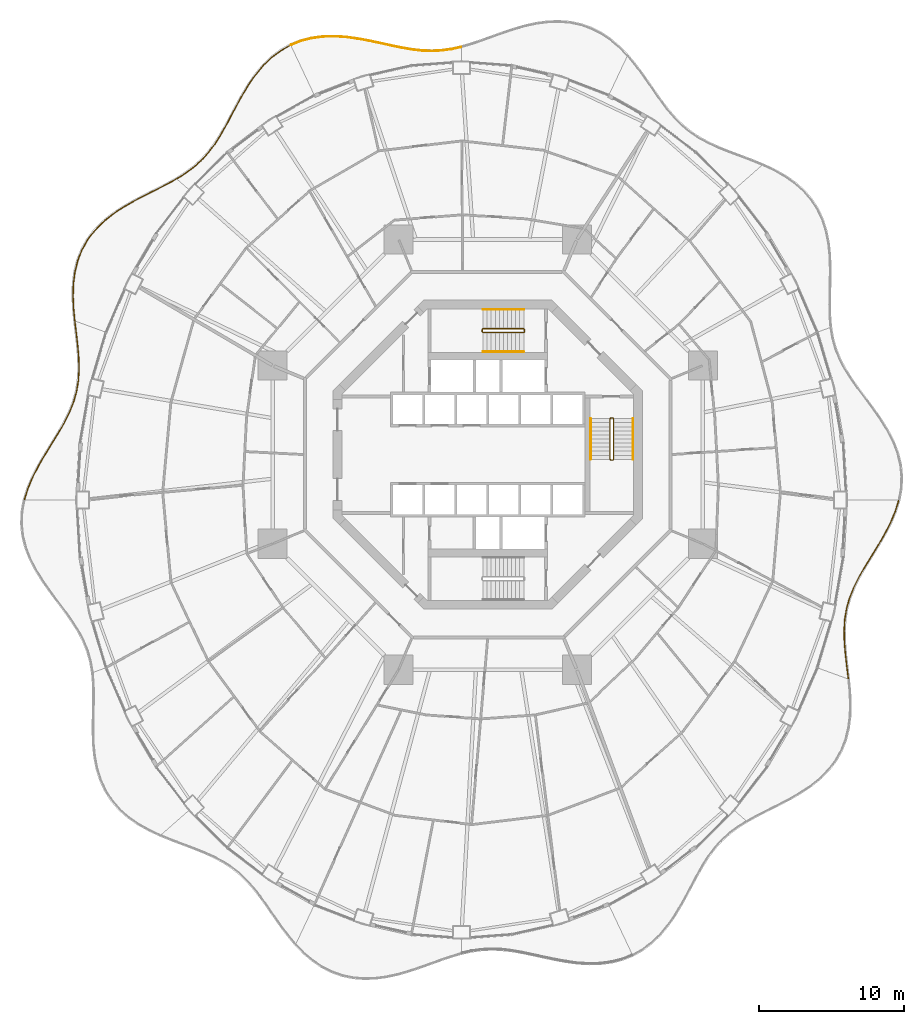
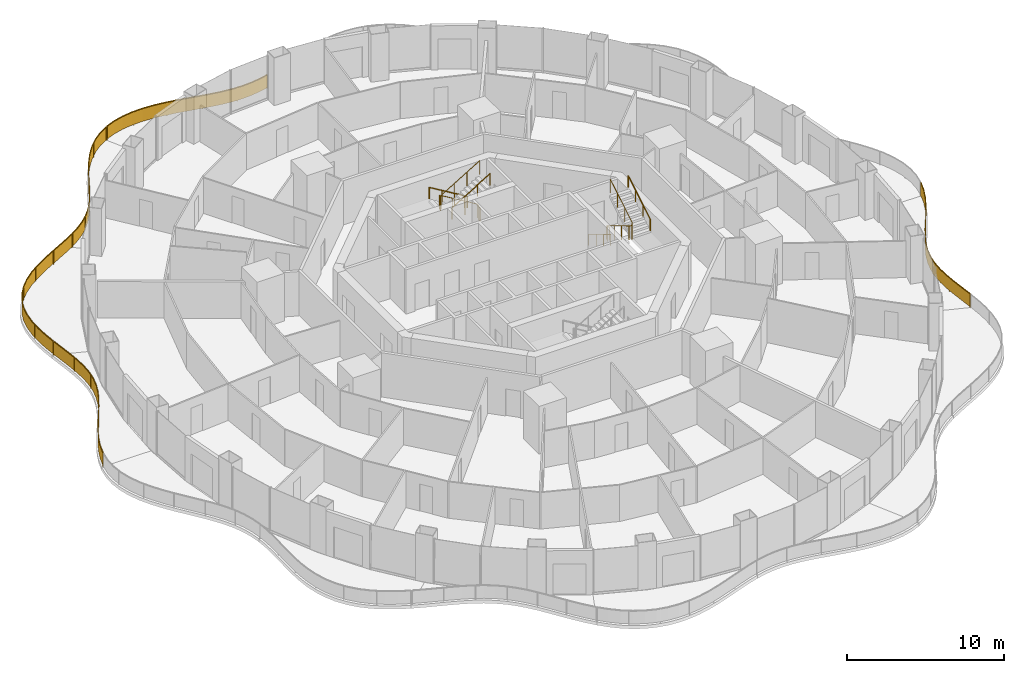
# One storey, part 19 of 20: 11 railings.
"""IFC4 building model written with IfcOpenShell, lengths in metres."""

from ifc_helpers import new_model, si_unit, direction, frame, origin, origin_2d, place, context, subcontext, project, spatial, polyline, rectangle, circle, outline, extrude, material, type_object, element, save


model = new_model("IFC4")

# Units and contexts
model_context = context("Model", 3, precision=1e-05, world=origin(), true_north=direction((0.0, 1.0)))
body_context = subcontext(model_context, "Body", "Model", "MODEL_VIEW")
ifc_project = project(units=[si_unit("LENGTHUNIT", "METRE"), si_unit("AREAUNIT", "SQUARE_METRE"), si_unit("VOLUMEUNIT", "CUBIC_METRE"), si_unit("PLANEANGLEUNIT", "RADIAN"), si_unit("MASSUNIT", "GRAM", prefix="KILO")], contexts=[model_context])

# Site, building, storey
site_placement = place(None, origin())
site = spatial("IfcSite", under=ifc_project, at=site_placement, CompositionType="ELEMENT")
building_placement = place(site_placement, origin())
building = spatial("IfcBuilding", under=site, at=building_placement, Name="Nagisa Residences", CompositionType="ELEMENT")
storey_placement = place(building_placement, frame((0.0, 0.0, 123.300048828125)))
storey = spatial("IfcBuildingStorey", under=building, at=storey_placement, Name="L30", CompositionType="ELEMENT", Elevation=123.300048828125)

# Railings
ifc_material_1 = material(Name="Stainless steel 316", Category="steel")
railing_type_1 = type_object("IfcRailingType", Name="BALCONY GUARD 1100", PredefinedType="BALUSTRADE", material=ifc_material_1)
railing_1_placement = place(storey_placement, frame((-1.834716796875, 28.012939453125, 0.0)))
element("IfcRailing", 1, at=railing_1_placement, inside=storey, type_object=railing_type_1, Name="guard:L30:bal04-0", PredefinedType="BALUSTRADE", context=body_context, shape_type="SweptSolid", body=[
    extrude(outline(polyline([(-0.6337890625, -0.16796875), (0.00537109375, -0.0244140625), (-0.00537109375, 0.0244140625), (-0.642578125, -0.11865234375), (-1.318115234375, -0.2138671875), (-1.995361328125, -0.248779296875), (-2.6806640625, -0.22509765625), (-3.37939453125, -0.1474609375), (-4.07861328125, -0.0234375), (-4.8154296875, 0.128662109375), (-5.572509765625, 0.295654296875), (-6.34814453125, 0.4599609375), (-7.13818359375, 0.602783203125), (-7.91943359375, 0.711669921875), (-8.717529296875, 0.759765625), (-9.507080078125, 0.7373046875), (-10.2783203125, 0.634033203125), (-11.021728515625, 0.4423828125), (-11.683349609375, 0.17724609375), (-11.664794921875, 0.130859375), (-11.006103515625, 0.39453125), (-10.2685546875, 0.584716796875), (-9.503173828125, 0.6875), (-8.718505859375, 0.70947265625), (-7.92431640625, 0.661865234375), (-7.14599609375, 0.553466796875), (-6.35791015625, 0.41064453125), (-5.583251953125, 0.246826171875), (-4.82568359375, 0.079833984375), (-4.087890625, -0.07275390625), (-3.38671875, -0.197265625), (-2.68408203125, -0.27490234375), (-1.994873046875, -0.299072265625), (-1.313232421875, -0.263671875), (-0.6337890625, -0.16796875)])), frame((0.0, 0.0, 1.050048828125)), (0.0, 0.0, 1.0), 0.050048828125),
    extrude(outline(polyline([(-0.636962890625, -0.150146484375), (0.00146484375, -0.0068359375), (-0.00146484375, 0.0068359375), (-0.639404296875, -0.136474609375), (-1.31640625, -0.231689453125), (-1.9951171875, -0.266845703125), (-2.681884765625, -0.242919921875), (-3.382080078125, -0.16552734375), (-4.08203125, -0.041259765625), (-4.819091796875, 0.111083984375), (-5.576416015625, 0.278076171875), (-6.3515625, 0.442138671875), (-7.140869140625, 0.5849609375), (-7.921142578125, 0.69384765625), (-8.718017578125, 0.74169921875), (-9.505615234375, 0.719482421875), (-10.27490234375, 0.6162109375), (-11.01611328125, 0.425048828125), (-11.6767578125, 0.16064453125), (-11.67138671875, 0.1474609375), (-11.01171875, 0.411865234375), (-10.27197265625, 0.6025390625), (-9.504638671875, 0.705322265625), (-8.718017578125, 0.7275390625), (-7.922607421875, 0.6796875), (-7.143310546875, 0.5712890625), (-6.3544921875, 0.428466796875), (-5.579345703125, 0.264404296875), (-4.822021484375, 0.097412109375), (-4.08447265625, -0.054931640625), (-3.384033203125, -0.17919921875), (-2.682861328125, -0.257080078125), (-1.9951171875, -0.281005859375), (-1.31494140625, -0.245849609375), (-0.636962890625, -0.150146484375)])), frame((0.0, 0.0, 0.06005859375)), (0.0, 0.0, 1.0), 0.989990234375),
    extrude(rectangle(XDim=0.0400390625, YDim=0.0400390625, at=origin_2d()), origin(), (0.0, 0.0, 1.0), 1.050048828125),
    extrude(rectangle(XDim=0.0400390625, YDim=0.0400390625, at=origin_2d()), frame((-2.349853515625, -0.261474609375, 0.0)), (0.0, 0.0, 1.0), 1.050048828125),
    extrude(rectangle(XDim=0.0400390625, YDim=0.0400390625, at=origin_2d()), frame((-4.6953125, 0.078369140625, 0.0)), (0.0, 0.0, 1.0), 1.050048828125),
    extrude(rectangle(XDim=0.0400390625, YDim=0.0400390625, at=origin_2d()), frame((-7.02001953125, 0.55615234375, 0.0)), (0.0, 0.0, 1.0), 1.050048828125),
    extrude(rectangle(XDim=0.0400390625, YDim=0.0400390625, at=origin_2d()), frame((-9.382568359375, 0.7158203125, 0.0)), (0.0, 0.0, 1.0), 1.050048828125),
    extrude(rectangle(XDim=0.0400390625, YDim=0.0400390625, at=origin_2d()), frame((-11.674072265625, 0.154052734375, 0.0)), (0.0, 0.0, 1.0), 1.050048828125),
])
railing_2_placement = place(storey_placement, frame((-13.578369140625, 28.133544921875, 0.0)))
element("IfcRailing", 2, at=railing_2_placement, inside=storey, type_object=railing_type_1, Name="guard:L30:bal05-0", PredefinedType="BALUSTRADE", context=body_context, shape_type="SweptSolid", body=[
    extrude(outline(polyline([(-0.629638671875, -0.38525390625), (0.012451171875, -0.021728515625), (-0.012451171875, 0.021728515625), (-0.656982421875, -0.34326171875), (-1.2919921875, -0.8232421875), (-1.871826171875, -1.38330078125), (-2.3974609375, -2.009765625), (-2.87255859375, -2.685791015625), (-3.291748046875, -3.384765625), (-3.69140625, -4.105712890625), (-4.07080078125, -4.822265625), (-4.443115234375, -5.518310546875), (-4.822265625, -6.180908203125), (-5.208984375, -6.789306640625), (-5.639892578125, -7.35888671875), (-6.112060546875, -7.87744140625), (-6.632080078125, -8.346923828125), (-7.2021484375, -8.77294921875), (-7.785888671875, -9.140625), (-7.759033203125, -9.18310546875), (-7.173828125, -8.814453125), (-6.600341796875, -8.385498046875), (-6.076904296875, -7.9130859375), (-5.601318359375, -7.39111328125), (-5.16796875, -6.818115234375), (-4.779296875, -6.206787109375), (-4.399169921875, -5.542724609375), (-4.02685546875, -4.845703125), (-3.6474609375, -4.129638671875), (-3.248291015625, -3.40966796875), (-2.83056640625, -2.713134765625), (-2.35791015625, -2.04052734375), (-1.835205078125, -1.41748046875), (-1.25927734375, -0.861328125), (-0.629638671875, -0.38525390625)])), frame((0.0, 0.0, 1.050048828125)), (0.0, 0.0, 1.0), 0.050048828125),
    extrude(outline(polyline([(-0.639404296875, -0.3701171875), (0.00341796875, -0.006103515625), (-0.00341796875, 0.006103515625), (-0.647216796875, -0.3583984375), (-1.2802734375, -0.8369140625), (-1.858642578125, -1.3955078125), (-2.38330078125, -2.02099609375), (-2.857421875, -2.695556640625), (-3.276123046875, -3.393798828125), (-3.675537109375, -4.1142578125), (-4.054931640625, -4.830810546875), (-4.42724609375, -5.527099609375), (-4.806884765625, -6.190185546875), (-5.1943359375, -6.7998046875), (-5.6259765625, -7.37060546875), (-6.099365234375, -7.890380859375), (-6.62060546875, -8.36083984375), (-7.19189453125, -8.787841796875), (-7.776123046875, -9.156005859375), (-7.768798828125, -9.167724609375), (-7.18408203125, -8.799560546875), (-6.61181640625, -8.37158203125), (-6.089599609375, -7.900146484375), (-5.615234375, -7.37939453125), (-5.1826171875, -6.8076171875), (-4.794677734375, -6.197509765625), (-4.4150390625, -5.533935546875), (-4.042724609375, -4.837158203125), (-3.663330078125, -4.12109375), (-3.263916015625, -3.400634765625), (-2.845703125, -2.703369140625), (-2.3720703125, -2.029296875), (-1.848388671875, -1.4052734375), (-1.27099609375, -0.84765625), (-0.639404296875, -0.3701171875)])), frame((0.0, 0.0, 0.06005859375)), (0.0, 0.0, 1.0), 0.989990234375),
    extrude(rectangle(XDim=0.0400390625, YDim=0.0400390625, at=origin_2d()), origin(), (0.0, 0.0, 1.0), 1.050048828125),
    extrude(rectangle(XDim=0.0400390625, YDim=0.0400390625, at=origin_2d()), frame((-1.6396484375, -1.19384765625, 0.0)), (0.0, 0.0, 1.0), 1.050048828125),
    extrude(rectangle(XDim=0.0400390625, YDim=0.0400390625, at=origin_2d()), frame((-2.9033203125, -2.785888671875, 0.0)), (0.0, 0.0, 1.0), 1.050048828125),
    extrude(rectangle(XDim=0.0400390625, YDim=0.0400390625, at=origin_2d()), frame((-3.904052734375, -4.560546875, 0.0)), (0.0, 0.0, 1.0), 1.050048828125),
    extrude(rectangle(XDim=0.0400390625, YDim=0.0400390625, at=origin_2d()), frame((-4.894287109375, -6.341064453125, 0.0)), (0.0, 0.0, 1.0), 1.050048828125),
    extrude(rectangle(XDim=0.0400390625, YDim=0.0400390625, at=origin_2d()), frame((-6.146240234375, -7.94189453125, 0.0)), (0.0, 0.0, 1.0), 1.050048828125),
    extrude(rectangle(XDim=0.0400390625, YDim=0.0400390625, at=origin_2d()), frame((-7.7724609375, -9.161865234375, 0.0)), (0.0, 0.0, 1.0), 1.050048828125),
])
railing_3_placement = place(storey_placement, frame((-21.41455078125, 18.9365234375, 0.0)))
element("IfcRailing", 3, at=railing_3_placement, inside=storey, type_object=railing_type_1, Name="guard:L30:bal06-0", PredefinedType="BALUSTRADE", context=body_context, shape_type="SweptSolid", body=[
    extrude(outline(polyline([(-0.648681640625, -0.385986328125), (0.011962890625, -0.02197265625), (-0.011962890625, 0.02197265625), (-0.672119140625, -0.341552734375), (-1.406494140625, -0.716552734375), (-2.163330078125, -1.09521484375), (-2.924072265625, -1.4931640625), (-3.669921875, -1.924072265625), (-4.37109375, -2.386962890625), (-5.025146484375, -2.9150390625), (-5.60595703125, -3.500732421875), (-6.099853515625, -4.1455078125), (-6.496826171875, -4.846435546875), (-6.7861328125, -5.5849609375), (-6.98291015625, -6.378173828125), (-7.087646484375, -7.203125), (-7.113037109375, -8.048583984375), (-7.07568359375, -8.90283203125), (-6.998291015625, -9.71044921875), (-6.948486328125, -9.70556640625), (-7.02587890625, -8.8994140625), (-7.062744140625, -8.048095703125), (-7.037841796875, -7.20703125), (-6.93359375, -6.387451171875), (-6.73828125, -5.60009765625), (-6.451416015625, -4.867919921875), (-6.057861328125, -4.17333984375), (-5.568359375, -3.533935546875), (-4.991455078125, -2.9521484375), (-4.34130859375, -2.427490234375), (-3.6435546875, -1.966552734375), (-2.900146484375, -1.537109375), (-2.140380859375, -1.1396484375), (-1.384033203125, -0.760986328125), (-0.648681640625, -0.385986328125)])), frame((0.0, 0.0, 1.050048828125)), (0.0, 0.0, 1.0), 0.050048828125),
    extrude(outline(polyline([(-0.6572265625, -0.369873046875), (0.00341796875, -0.006103515625), (-0.00341796875, 0.006103515625), (-0.66357421875, -0.357666015625), (-1.3984375, -0.732421875), (-2.155029296875, -1.111083984375), (-2.91552734375, -1.509033203125), (-3.660400390625, -1.939453125), (-4.3603515625, -2.401611328125), (-5.012939453125, -2.928466796875), (-5.592529296875, -3.5126953125), (-6.084716796875, -4.155517578125), (-6.48046875, -4.854248046875), (-6.768798828125, -5.59033203125), (-6.965087890625, -6.381591796875), (-7.06982421875, -7.20458984375), (-7.094970703125, -8.04833984375), (-7.057861328125, -8.901611328125), (-6.98046875, -9.708740234375), (-6.96630859375, -9.707275390625), (-7.043701171875, -8.900634765625), (-7.080810546875, -8.04833984375), (-7.0556640625, -7.20556640625), (-6.951416015625, -6.384033203125), (-6.755615234375, -5.5947265625), (-6.4677734375, -4.860107421875), (-6.072998046875, -4.163330078125), (-5.581787109375, -3.52197265625), (-5.003662109375, -2.938720703125), (-4.35205078125, -2.412841796875), (-3.653076171875, -1.951171875), (-2.90869140625, -1.521240234375), (-2.148681640625, -1.123779296875), (-1.39208984375, -0.7451171875), (-0.6572265625, -0.369873046875)])), frame((0.0, 0.0, 0.06005859375)), (0.0, 0.0, 1.0), 0.989990234375),
    extrude(rectangle(XDim=0.0400390625, YDim=0.0400390625, at=origin_2d()), origin(), (0.0, 0.0, 1.0), 1.050048828125),
    extrude(rectangle(XDim=0.0400390625, YDim=0.0400390625, at=origin_2d()), frame((-1.949462890625, -1.01611328125, 0.0)), (0.0, 0.0, 1.0), 1.050048828125),
    extrude(rectangle(XDim=0.0400390625, YDim=0.0400390625, at=origin_2d()), frame((-3.869140625, -2.085693359375, 0.0)), (0.0, 0.0, 1.0), 1.050048828125),
    extrude(rectangle(XDim=0.0400390625, YDim=0.0400390625, at=origin_2d()), frame((-5.555419921875, -3.4853515625, 0.0)), (0.0, 0.0, 1.0), 1.050048828125),
    extrude(rectangle(XDim=0.0400390625, YDim=0.0400390625, at=origin_2d()), frame((-6.67236328125, -5.36279296875, 0.0)), (0.0, 0.0, 1.0), 1.050048828125),
    extrude(rectangle(XDim=0.0400390625, YDim=0.0400390625, at=origin_2d()), frame((-7.072021484375, -7.513916015625, 0.0)), (0.0, 0.0, 1.0), 1.050048828125),
    extrude(rectangle(XDim=0.0400390625, YDim=0.0400390625, at=origin_2d()), frame((-6.973388671875, -9.7080078125, 0.0)), (0.0, 0.0, 1.0), 1.050048828125),
])
railing_4_placement = place(storey_placement, frame((-28.37841796875, 9.15234375, 0.0)))
element("IfcRailing", 4, at=railing_4_placement, inside=storey, type_object=railing_type_1, Name="guard:L30:bal07-0", PredefinedType="BALUSTRADE", context=body_context, shape_type="SweptSolid", body=[
    extrude(outline(polyline([(0.1240234375, -0.81982421875), (0.02490234375, 0.0029296875), (-0.02490234375, -0.0029296875), (0.07421875, -0.82568359375), (0.172119140625, -1.673828125), (0.24169921875, -2.49658203125), (0.26171875, -3.291748046875), (0.216064453125, -4.060302734375), (0.0966796875, -4.791259765625), (-0.107666015625, -5.51806640625), (-0.391845703125, -6.234130859375), (-0.74658203125, -6.947021484375), (-1.157470703125, -7.66357421875), (-1.602294921875, -8.377197265625), (-2.060791015625, -9.11962890625), (-2.5048828125, -9.880615234375), (-2.908203125, -10.66064453125), (-3.24609375, -11.458740234375), (-3.484375, -12.225830078125), (-3.4365234375, -12.240478515625), (-3.19921875, -11.475830078125), (-2.86279296875, -10.68212890625), (-2.4609375, -9.904541015625), (-2.017822265625, -9.1455078125), (-1.559814453125, -8.403564453125), (-1.114501953125, -7.689453125), (-0.70263671875, -6.970458984375), (-0.345947265625, -6.254638671875), (-0.060302734375, -5.5341796875), (0.1455078125, -4.802001953125), (0.265869140625, -4.065673828125), (0.31201171875, -3.292724609375), (0.29150390625, -2.49365234375), (0.221923828125, -1.6689453125), (0.1240234375, -0.81982421875)])), frame((0.0, 0.0, 1.050048828125)), (0.0, 0.0, 1.0), 0.050048828125),
    extrude(outline(polyline([(0.10595703125, -0.822021484375), (0.0068359375, 0.000732421875), (-0.0068359375, -0.000732421875), (0.09228515625, -0.823486328125), (0.18994140625, -1.672119140625), (0.259521484375, -2.49560546875), (0.27978515625, -3.292236328125), (0.23388671875, -4.062255859375), (0.1142578125, -4.795166015625), (-0.090576171875, -5.52392578125), (-0.375244140625, -6.241455078125), (-0.730712890625, -6.955322265625), (-1.14208984375, -7.6728515625), (-1.5869140625, -8.38671875), (-2.04541015625, -9.12890625), (-2.489013671875, -9.88916015625), (-2.891845703125, -10.66845703125), (-3.229248046875, -11.46484375), (-3.467041015625, -12.23095703125), (-3.453857421875, -12.2353515625), (-3.216064453125, -11.4697265625), (-2.879150390625, -10.67431640625), (-2.476806640625, -9.89599609375), (-2.033203125, -9.13623046875), (-1.5751953125, -8.39404296875), (-1.1298828125, -7.68017578125), (-0.718505859375, -6.962158203125), (-0.362548828125, -6.247314453125), (-0.077392578125, -5.5283203125), (0.1279296875, -4.798095703125), (0.248046875, -4.063720703125), (0.2939453125, -3.292236328125), (0.273681640625, -2.49462890625), (0.2041015625, -1.670654296875), (0.10595703125, -0.822021484375)])), frame((0.0, 0.0, 0.06005859375)), (0.0, 0.0, 1.0), 0.989990234375),
    extrude(rectangle(XDim=0.0400390625, YDim=0.0400390625, at=origin_2d()), origin(), (0.0, 0.0, 1.0), 1.050048828125),
    extrude(rectangle(XDim=0.0400390625, YDim=0.0400390625, at=origin_2d()), frame((0.2392578125, -2.17236328125, 0.0)), (0.0, 0.0, 1.0), 1.050048828125),
    extrude(rectangle(XDim=0.0400390625, YDim=0.0400390625, at=origin_2d()), frame((0.19384765625, -4.3515625, 0.0)), (0.0, 0.0, 1.0), 1.050048828125),
    extrude(rectangle(XDim=0.0400390625, YDim=0.0400390625, at=origin_2d()), frame((-0.4599609375, -6.427490234375, 0.0)), (0.0, 0.0, 1.0), 1.050048828125),
    extrude(rectangle(XDim=0.0400390625, YDim=0.0400390625, at=origin_2d()), frame((-1.540771484375, -8.32568359375, 0.0)), (0.0, 0.0, 1.0), 1.050048828125),
    extrude(rectangle(XDim=0.0400390625, YDim=0.0400390625, at=origin_2d()), frame((-2.64697265625, -10.2099609375, 0.0)), (0.0, 0.0, 1.0), 1.050048828125),
    extrude(rectangle(XDim=0.0400390625, YDim=0.0400390625, at=origin_2d()), frame((-3.46044921875, -12.233154296875, 0.0)), (0.0, 0.0, 1.0), 1.050048828125),
])
railing_5_placement = place(storey_placement, frame((24.7783203125, -15.3876953125, 0.0)))
element("IfcRailing", 5, at=railing_5_placement, inside=storey, type_object=railing_type_1, Name="guard:L30:bal15-0", PredefinedType="BALUSTRADE", context=body_context, shape_type="SweptSolid", body=[
    extrude(outline(polyline([(-0.123779296875, 0.81982421875), (-0.02490234375, -0.0029296875), (0.02490234375, 0.0029296875), (-0.073974609375, 0.82568359375), (-0.171875, 1.673583984375), (-0.24169921875, 2.49658203125), (-0.26171875, 3.291748046875), (-0.216064453125, 4.06005859375), (-0.0966796875, 4.791259765625), (0.10791015625, 5.51806640625), (0.391845703125, 6.234130859375), (0.74658203125, 6.947021484375), (1.157470703125, 7.66357421875), (1.6025390625, 8.376953125), (2.060791015625, 9.11962890625), (2.5048828125, 9.880615234375), (2.908447265625, 10.66064453125), (3.24609375, 11.458740234375), (3.484619140625, 12.225830078125), (3.436767578125, 12.240478515625), (3.19921875, 11.475830078125), (2.863037109375, 10.68212890625), (2.4609375, 9.904541015625), (2.017822265625, 9.1455078125), (1.56005859375, 8.4033203125), (1.114501953125, 7.689453125), (0.70263671875, 6.970458984375), (0.345947265625, 6.254638671875), (0.060546875, 5.5341796875), (-0.1455078125, 4.802001953125), (-0.265869140625, 4.0654296875), (-0.31201171875, 3.292724609375), (-0.29150390625, 2.49365234375), (-0.2216796875, 1.668701171875), (-0.123779296875, 0.81982421875)])), frame((0.0, 0.0, 1.050048828125)), (0.0, 0.0, 1.0), 0.050048828125),
    extrude(outline(polyline([(-0.105712890625, 0.822021484375), (-0.0068359375, -0.000732421875), (0.0068359375, 0.000732421875), (-0.092041015625, 0.823486328125), (-0.189697265625, 1.671875), (-0.259521484375, 2.49560546875), (-0.27978515625, 3.292236328125), (-0.23388671875, 4.06201171875), (-0.1142578125, 4.795166015625), (0.0908203125, 5.52392578125), (0.375244140625, 6.241455078125), (0.730712890625, 6.955322265625), (1.14208984375, 7.6728515625), (1.587158203125, 8.386474609375), (2.04541015625, 9.12890625), (2.489013671875, 9.88916015625), (2.89208984375, 10.66845703125), (3.229248046875, 11.46484375), (3.46728515625, 12.23095703125), (3.4541015625, 12.2353515625), (3.216064453125, 11.4697265625), (2.87939453125, 10.67431640625), (2.476806640625, 9.89599609375), (2.033203125, 9.13623046875), (1.575439453125, 8.393798828125), (1.1298828125, 7.68017578125), (0.718505859375, 6.962158203125), (0.362548828125, 6.247314453125), (0.07763671875, 5.5283203125), (-0.1279296875, 4.798095703125), (-0.248046875, 4.0634765625), (-0.2939453125, 3.292236328125), (-0.273681640625, 2.49462890625), (-0.203857421875, 1.67041015625), (-0.105712890625, 0.822021484375)])), frame((0.0, 0.0, 0.06005859375)), (0.0, 0.0, 1.0), 0.989990234375),
    extrude(rectangle(XDim=0.0400390625, YDim=0.0400390625, at=origin_2d()), origin(), (0.0, 0.0, 1.0), 1.050048828125),
    extrude(rectangle(XDim=0.0400390625, YDim=0.0400390625, at=origin_2d()), frame((-0.2392578125, 2.17236328125, 0.0)), (0.0, 0.0, 1.0), 1.050048828125),
    extrude(rectangle(XDim=0.0400390625, YDim=0.0400390625, at=origin_2d()), frame((-0.19384765625, 4.3515625, 0.0)), (0.0, 0.0, 1.0), 1.050048828125),
    extrude(rectangle(XDim=0.0400390625, YDim=0.0400390625, at=origin_2d()), frame((0.4599609375, 6.427490234375, 0.0)), (0.0, 0.0, 1.0), 1.050048828125),
    extrude(rectangle(XDim=0.0400390625, YDim=0.0400390625, at=origin_2d()), frame((1.541015625, 8.325439453125, 0.0)), (0.0, 0.0, 1.0), 1.050048828125),
    extrude(rectangle(XDim=0.0400390625, YDim=0.0400390625, at=origin_2d()), frame((2.64697265625, 10.2099609375, 0.0)), (0.0, 0.0, 1.0), 1.050048828125),
    extrude(rectangle(XDim=0.0400390625, YDim=0.0400390625, at=origin_2d()), frame((3.460693359375, 12.233154296875, 0.0)), (0.0, 0.0, 1.0), 1.050048828125),
])
ifc_material_2 = material(Name="Stainless steel", Category="steel")
railing_type_2 = type_object("IfcRailingType", Name="Stair guard 1100", PredefinedType="GUARDRAIL", material=ifc_material_2)
railing_6_placement = place(storey_placement, frame((8.599609375, 2.52490234375, 0.0)))
element("IfcRailing", 6, at=railing_6_placement, inside=storey, type_object=railing_type_2, Name="L30 ST-E stair guard 1", PredefinedType="GUARDRAIL", context=body_context, shape_type="SweptSolid", body=[
    extrude(circle(Radius=0.02392578125, at=origin_2d()), frame((0.0, 0.0, 1.076171875), z_axis=(-1.0, 0.0, 0.0), x_axis=(0.0, -1.0, 0.0)), (0.0, 0.0, 1.0), 0.14990234375),
    extrude(circle(Radius=0.02392578125, at=origin_2d()), frame((-0.14990234375, 0.0, 1.076171875), z_axis=(-0.27434429532, -0.273006030465, 0.922064485248), x_axis=(0.705375805398, -0.708833529934, 0.0)), (0.0, 0.0, 1.0), 0.182373046875),
    extrude(circle(Radius=0.02392578125, at=origin_2d()), frame((-0.199951171875, -0.0498046875, 1.244140625), z_axis=(0.0, -0.857275202839, 0.514858452973), x_axis=(1.0, 0.0, 0.0)), (0.0, 0.0, 1.0), 3.26611328125),
    extrude(circle(Radius=0.02392578125, at=origin_2d()), frame((-0.199951171875, -2.849853515625, 2.92578125), z_axis=(0.707106781187, -0.707106781187, 0.0), x_axis=(0.707106781187, 0.707106781187, 0.0)), (0.0, 0.0, 1.0), 0.07080078125),
    extrude(circle(Radius=0.02392578125, at=origin_2d()), frame((-0.14990234375, -2.89990234375, 2.92578125), z_axis=(1.0, 0.0, 0.0), x_axis=(0.0, 1.0, 0.0)), (0.0, 0.0, 1.0), 0.14990234375),
    extrude(circle(Radius=0.02392578125, at=origin_2d()), frame((0.0, -2.89990234375, 2.92578125), z_axis=(0.274243871929, 0.274243871929, 0.92172696468), x_axis=(-0.707106781187, 0.707106781187, 0.0)), (0.0, 0.0, 1.0), 0.1826171875),
    extrude(circle(Radius=0.02392578125, at=origin_2d()), frame((0.050048828125, -2.849853515625, 3.09423828125), z_axis=(0.0, 0.857242210791, 0.514913383045), x_axis=(-1.0, 0.0, 0.0)), (0.0, 0.0, 1.0), 3.266357421875),
    extrude(circle(Radius=0.02099609375, at=origin_2d()), origin(), (0.0, 0.0, 1.0), 1.052001953125),
    extrude(circle(Radius=0.02099609375, at=origin_2d()), frame((-0.14990234375, 0.0, 0.0)), (0.0, 0.0, 1.0), 1.052001953125),
    extrude(circle(Radius=0.02099609375, at=origin_2d()), frame((-0.199951171875, -0.0498046875, 0.168212890625)), (0.0, 0.0, 1.0), 1.052001953125),
    extrude(circle(Radius=0.02099609375, at=origin_2d()), frame((-0.199951171875, -0.983154296875, 0.728759765625)), (0.0, 0.0, 1.0), 1.052001953125),
    extrude(circle(Radius=0.02099609375, at=origin_2d()), frame((-0.199951171875, -1.91650390625, 1.289306640625)), (0.0, 0.0, 1.0), 1.052001953125),
    extrude(circle(Radius=0.02099609375, at=origin_2d()), frame((-0.199951171875, -2.849853515625, 1.849853515625)), (0.0, 0.0, 1.0), 1.052001953125),
    extrude(circle(Radius=0.02099609375, at=origin_2d()), frame((-0.14990234375, -2.89990234375, 1.849853515625)), (0.0, 0.0, 1.0), 1.052001953125),
    extrude(circle(Radius=0.02099609375, at=origin_2d()), frame((0.0, -2.89990234375, 1.849853515625)), (0.0, 0.0, 1.0), 1.052001953125),
    extrude(circle(Radius=0.02099609375, at=origin_2d()), frame((0.050048828125, -2.849853515625, 2.01806640625)), (0.0, 0.0, 1.0), 1.052001953125),
    extrude(circle(Radius=0.02099609375, at=origin_2d()), frame((0.050048828125, -1.91650390625, 2.57861328125)), (0.0, 0.0, 1.0), 1.052001953125),
    extrude(circle(Radius=0.02099609375, at=origin_2d()), frame((0.050048828125, -0.983154296875, 3.139404296875)), (0.0, 0.0, 1.0), 1.052001953125),
    extrude(circle(Radius=0.02099609375, at=origin_2d()), frame((0.050048828125, -0.0498046875, 3.699951171875)), (0.0, 0.0, 1.0), 1.052001953125),
])
railing_7_placement = place(storey_placement, frame((2.52490234375, 8.44970703125, 0.0)))
element("IfcRailing", 7, at=railing_7_placement, inside=storey, type_object=railing_type_2, Name="L30 ST-N stair guard 1", PredefinedType="GUARDRAIL", context=body_context, shape_type="SweptSolid", body=[
    extrude(circle(Radius=0.02392578125, at=origin_2d()), frame((0.0, 0.0, 1.076171875), z_axis=(0.0, 1.0, 0.0), x_axis=(-1.0, 0.0, 0.0)), (0.0, 0.0, 1.0), 0.14990234375),
    extrude(circle(Radius=0.02392578125, at=origin_2d()), frame((0.0, 0.14990234375, 1.076171875), z_axis=(-0.273006030465, 0.27434429532, 0.922064485248), x_axis=(-0.708833529934, -0.705375805398, 0.0)), (0.0, 0.0, 1.0), 0.182373046875),
    extrude(circle(Radius=0.02392578125, at=origin_2d()), frame((-0.0498046875, 0.199951171875, 1.244140625), z_axis=(-0.857275202839, 0.0, 0.514858452973), x_axis=(0.0, -1.0, 0.0)), (0.0, 0.0, 1.0), 3.26611328125),
    extrude(circle(Radius=0.02392578125, at=origin_2d()), frame((-2.849853515625, 0.199951171875, 2.92578125), z_axis=(-0.707106781187, -0.707106781187, 0.0), x_axis=(0.707106781187, -0.707106781187, 0.0)), (0.0, 0.0, 1.0), 0.07080078125),
    extrude(circle(Radius=0.02392578125, at=origin_2d()), frame((-2.89990234375, 0.14990234375, 2.92578125), z_axis=(0.0, -1.0, 0.0), x_axis=(1.0, 0.0, 0.0)), (0.0, 0.0, 1.0), 0.14990234375),
    extrude(circle(Radius=0.02392578125, at=origin_2d()), frame((-2.89990234375, 0.0, 2.92578125), z_axis=(0.274243871929, -0.274243871929, 0.92172696468), x_axis=(0.707106781187, 0.707106781187, 0.0)), (0.0, 0.0, 1.0), 0.1826171875),
    extrude(circle(Radius=0.02392578125, at=origin_2d()), frame((-2.849853515625, -0.050048828125, 3.09423828125), z_axis=(0.857242210791, 0.0, 0.514913383045), x_axis=(0.0, 1.0, 0.0)), (0.0, 0.0, 1.0), 3.266357421875),
    extrude(circle(Radius=0.02099609375, at=origin_2d()), origin(), (0.0, 0.0, 1.0), 1.052001953125),
    extrude(circle(Radius=0.02099609375, at=origin_2d()), frame((0.0, 0.14990234375, 0.0)), (0.0, 0.0, 1.0), 1.052001953125),
    extrude(circle(Radius=0.02099609375, at=origin_2d()), frame((-0.0498046875, 0.199951171875, 0.168212890625)), (0.0, 0.0, 1.0), 1.052001953125),
    extrude(circle(Radius=0.02099609375, at=origin_2d()), frame((-0.983154296875, 0.199951171875, 0.728759765625)), (0.0, 0.0, 1.0), 1.052001953125),
    extrude(circle(Radius=0.02099609375, at=origin_2d()), frame((-1.91650390625, 0.199951171875, 1.289306640625)), (0.0, 0.0, 1.0), 1.052001953125),
    extrude(circle(Radius=0.02099609375, at=origin_2d()), frame((-2.849853515625, 0.199951171875, 1.849853515625)), (0.0, 0.0, 1.0), 1.052001953125),
    extrude(circle(Radius=0.02099609375, at=origin_2d()), frame((-2.89990234375, 0.14990234375, 1.849853515625)), (0.0, 0.0, 1.0), 1.052001953125),
    extrude(circle(Radius=0.02099609375, at=origin_2d()), frame((-2.89990234375, 0.0, 1.849853515625)), (0.0, 0.0, 1.0), 1.052001953125),
    extrude(circle(Radius=0.02099609375, at=origin_2d()), frame((-2.849853515625, -0.050048828125, 2.01806640625)), (0.0, 0.0, 1.0), 1.052001953125),
    extrude(circle(Radius=0.02099609375, at=origin_2d()), frame((-1.91650390625, -0.050048828125, 2.57861328125)), (0.0, 0.0, 1.0), 1.052001953125),
    extrude(circle(Radius=0.02099609375, at=origin_2d()), frame((-0.983154296875, -0.050048828125, 3.139404296875)), (0.0, 0.0, 1.0), 1.052001953125),
    extrude(circle(Radius=0.02099609375, at=origin_2d()), frame((-0.0498046875, -0.050048828125, 3.699951171875)), (0.0, 0.0, 1.0), 1.052001953125),
])
ifc_material_3 = material(Name="Stainless steel", Category="steel")
railing_type_3 = type_object("IfcRailingType", Name="Stair handrail 900", PredefinedType="HANDRAIL", material=ifc_material_3)
railing_8_placement = place(storey_placement, frame((7.07470703125, 2.47509765625, 0.168212890625)))
element("IfcRailing", 8, at=railing_8_placement, inside=storey, type_object=railing_type_3, Name="L30 ST-E stair handrail 1", PredefinedType="HANDRAIL", context=body_context, shape_type="SweptSolid", body=[
    extrude(circle(Radius=0.02392578125, at=origin_2d()), frame((0.0, 0.0, 0.8759765625), z_axis=(0.0, -0.857275202839, 0.514858452973), x_axis=(1.0, 0.0, 0.0)), (0.0, 0.0, 1.0), 3.26611328125),
    extrude(circle(Radius=0.02099609375, at=origin_2d()), origin(), (0.0, 0.0, 1.0), 0.851806640625),
    extrude(circle(Radius=0.02099609375, at=origin_2d()), frame((0.0, -0.933349609375, 0.560546875)), (0.0, 0.0, 1.0), 0.851806640625),
    extrude(circle(Radius=0.02099609375, at=origin_2d()), frame((0.0, -1.86669921875, 1.12109375)), (0.0, 0.0, 1.0), 0.851806640625),
    extrude(circle(Radius=0.02099609375, at=origin_2d()), frame((0.0, -2.800048828125, 1.681640625)), (0.0, 0.0, 1.0), 0.851806640625),
])
railing_9_placement = place(storey_placement, frame((9.974609375, -0.324951171875, 2.01806640625)))
element("IfcRailing", 9, at=railing_9_placement, inside=storey, type_object=railing_type_3, Name="L30 ST-E stair handrail 2", PredefinedType="HANDRAIL", context=body_context, shape_type="SweptSolid", body=[
    extrude(circle(Radius=0.02392578125, at=origin_2d()), frame((0.0, 0.0, 0.8759765625), z_axis=(0.0, 0.857242210791, 0.514913383045), x_axis=(-1.0, 0.0, 0.0)), (0.0, 0.0, 1.0), 3.266357421875),
    extrude(circle(Radius=0.02099609375, at=origin_2d()), origin(), (0.0, 0.0, 1.0), 0.851806640625),
    extrude(circle(Radius=0.02099609375, at=origin_2d()), frame((0.0, 0.933349609375, 0.560546875)), (0.0, 0.0, 1.0), 0.851806640625),
    extrude(circle(Radius=0.02099609375, at=origin_2d()), frame((0.0, 1.86669921875, 1.121337890625)), (0.0, 0.0, 1.0), 0.851806640625),
    extrude(circle(Radius=0.02099609375, at=origin_2d()), frame((0.0, 2.800048828125, 1.681884765625)), (0.0, 0.0, 1.0), 0.851806640625),
])
railing_10_placement = place(storey_placement, frame((2.47509765625, 9.974609375, 0.168212890625)))
element("IfcRailing", 10, at=railing_10_placement, inside=storey, type_object=railing_type_3, Name="L30 ST-N stair handrail 1", PredefinedType="HANDRAIL", context=body_context, shape_type="SweptSolid", body=[
    extrude(circle(Radius=0.02392578125, at=origin_2d()), frame((0.0, 0.0, 0.8759765625), z_axis=(-0.857275202839, 0.0, 0.514858452973), x_axis=(0.0, -1.0, 0.0)), (0.0, 0.0, 1.0), 3.26611328125),
    extrude(circle(Radius=0.02099609375, at=origin_2d()), origin(), (0.0, 0.0, 1.0), 0.851806640625),
    extrude(circle(Radius=0.02099609375, at=origin_2d()), frame((-0.933349609375, 0.0, 0.560546875)), (0.0, 0.0, 1.0), 0.851806640625),
    extrude(circle(Radius=0.02099609375, at=origin_2d()), frame((-1.86669921875, 0.0, 1.12109375)), (0.0, 0.0, 1.0), 0.851806640625),
    extrude(circle(Radius=0.02099609375, at=origin_2d()), frame((-2.800048828125, 0.0, 1.681640625)), (0.0, 0.0, 1.0), 0.851806640625),
])
railing_11_placement = place(storey_placement, frame((-0.324951171875, 7.07470703125, 2.01806640625)))
element("IfcRailing", 11, at=railing_11_placement, inside=storey, type_object=railing_type_3, Name="L30 ST-N stair handrail 2", PredefinedType="HANDRAIL", context=body_context, shape_type="SweptSolid", body=[
    extrude(circle(Radius=0.02392578125, at=origin_2d()), frame((0.0, 0.0, 0.8759765625), z_axis=(0.857242210791, 0.0, 0.514913383045), x_axis=(0.0, 1.0, 0.0)), (0.0, 0.0, 1.0), 3.266357421875),
    extrude(circle(Radius=0.02099609375, at=origin_2d()), origin(), (0.0, 0.0, 1.0), 0.851806640625),
    extrude(circle(Radius=0.02099609375, at=origin_2d()), frame((0.933349609375, 0.0, 0.560546875)), (0.0, 0.0, 1.0), 0.851806640625),
    extrude(circle(Radius=0.02099609375, at=origin_2d()), frame((1.86669921875, 0.0, 1.121337890625)), (0.0, 0.0, 1.0), 0.851806640625),
    extrude(circle(Radius=0.02099609375, at=origin_2d()), frame((2.800048828125, 0.0, 1.681884765625)), (0.0, 0.0, 1.0), 0.851806640625),
])

save(model, "model.ifc")
